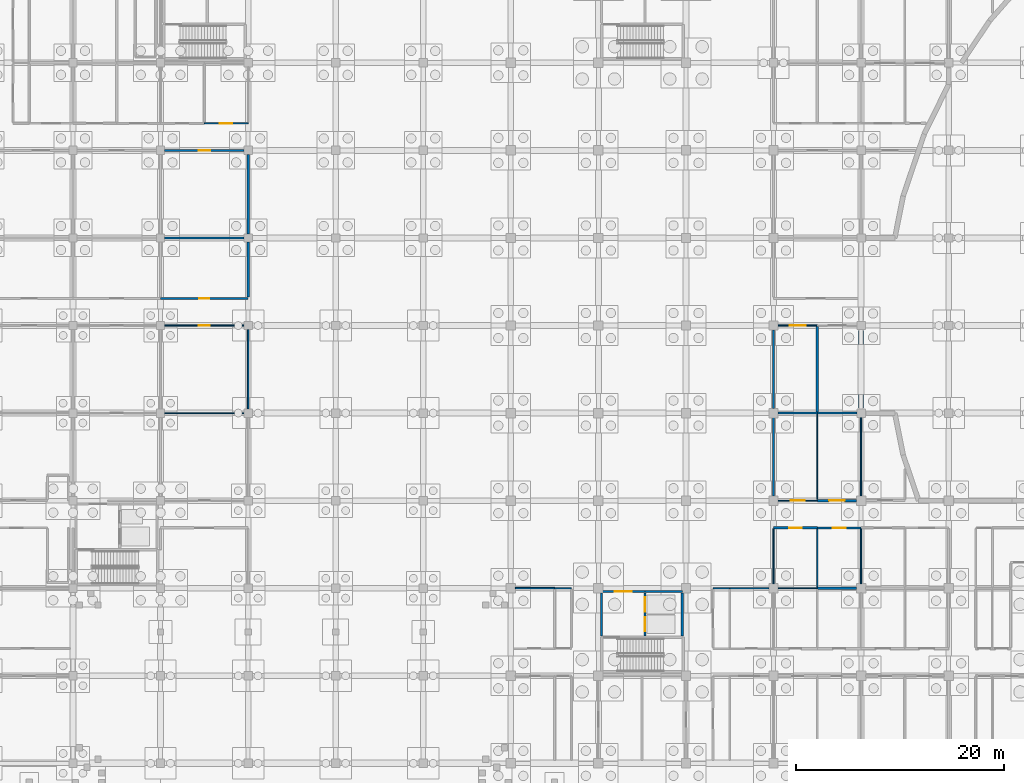
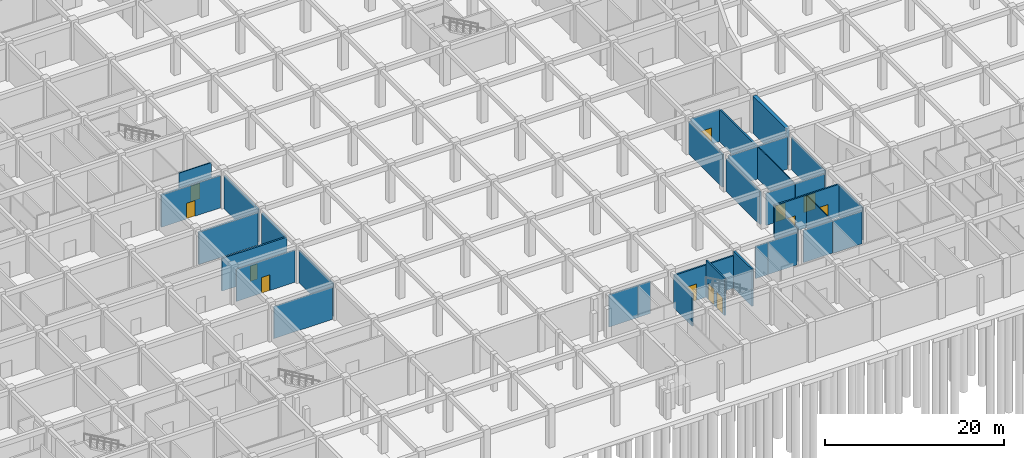
# One storey, part 34 of 65: 36 walls, 12 doors, 12 openings.
"""IFC4 building model written with IfcOpenShell, lengths in metres."""

from ifc_helpers import new_model, si_unit, direction, frame, frame_2d, origin, place, context, subcontext, project, spatial, rectangle, extrude, material, layer, layer_set, type_object, element, fill, save


model = new_model("IFC4")

# Units and contexts
model_context = context("Model", 3, precision=1e-05, world=origin(), true_north=direction((0.0, 1.0)))
body_context = subcontext(model_context, "Body", "Model", "MODEL_VIEW")
ifc_project = project(units=[si_unit("LENGTHUNIT", "METRE"), si_unit("AREAUNIT", "SQUARE_METRE"), si_unit("VOLUMEUNIT", "CUBIC_METRE"), si_unit("PLANEANGLEUNIT", "RADIAN"), si_unit("MASSUNIT", "GRAM", prefix="KILO")], contexts=[model_context])

# Site, building, storey
site_placement = place(None, origin())
site = spatial("IfcSite", under=ifc_project, at=site_placement, CompositionType="ELEMENT")
building_placement = place(site_placement, origin())
building = spatial("IfcBuilding", under=site, at=building_placement, Name="Bramfleet General Hospital", CompositionType="ELEMENT")
storey_placement = place(building_placement, frame((0.0, 0.0, -5.39990234375)))
storey = spatial("IfcBuildingStorey", under=building, at=storey_placement, Name="B1", CompositionType="ELEMENT", Elevation=-5.39990234375)

# Walls
ifc_material_1 = material(Name="Concrete C35/45", Category="concrete")
ifc_layer_1 = layer(ifc_material_1, 0.449951171875, Name="WT-EW-01")
ifc_layer_set_1 = layer_set([ifc_layer_1], Name="Concrete C35/45")
wall_type_1 = type_object("IfcWallType", Name="WT-EW-01", PredefinedType="SOLIDWALL", material=ifc_layer_set_1)
wall_1_placement = place(storey_placement, frame((126.0, 41.52490234375, 0.0), z_axis=(0.0, 0.0, 1.0), x_axis=(0.0, -1.0, 0.0)))
element("IfcWall", 1, at=wall_1_placement, inside=storey, type_object=wall_type_1, Name="B1 Waterproof Retaining Wall 50", PredefinedType="SOLIDWALL", context=body_context, shape_type="SweptSolid", body=[
    extrude(rectangle(XDim=7.449951171875, YDim=0.449951171875, at=frame_2d((3.72509765625, 0.0))), origin(), (0.0, 0.0, 1.0), 5.079833984375),
])
ifc_layer_2 = layer(ifc_material_1, 0.219970703125, Name="WT-IW-01")
ifc_layer_set_2 = layer_set([ifc_layer_2], Name="Concrete C35/45")
wall_type_2 = type_object("IfcWallType", Name="WT-IW-01", PredefinedType="PARTITIONING", material=ifc_layer_set_2)
wall_2_placement = place(storey_placement, frame((121.800048828125, 16.800048828125, 0.0), z_axis=(0.0, 0.0, 1.0), x_axis=(1.0, 0.0, 0.0)))
element("IfcWall", 2, at=wall_2_placement, inside=storey, type_object=wall_type_2, Name="B1 Interior Partition IW-B1-0061", PredefinedType="PARTITIONING", context=body_context, shape_type="SweptSolid", body=[
    extrude(rectangle(XDim=3.7548828125, YDim=0.219970703125, at=frame_2d((1.87744140625, 0.0))), origin(), (0.0, 0.0, 1.0), 4.419921875),
])

# Wall, opening, door
wall_3_placement = place(storey_placement, frame((121.800048828125, 25.199951171875, 0.0), z_axis=(0.0, 0.0, 1.0), x_axis=(1.0, 0.0, 0.0)))
wall_3 = element("IfcWall", 3, at=wall_3_placement, inside=storey, type_object=wall_type_2, Name="B1 Interior Partition IW-B1-0109", PredefinedType="PARTITIONING", context=body_context, shape_type="SweptSolid", body=[
    extrude(rectangle(XDim=3.7548828125, YDim=0.219970703125, at=frame_2d((1.87744140625, 0.0))), origin(), (0.0, 0.0, 1.0), 4.419921875),
])
opening_1_placement = place(wall_3_placement, frame((1.137451171875, 0.0, 0.0)))
opening_1 = element("IfcOpeningElement", 4, at=opening_1_placement, cuts=wall_3, Name="Opening D0336", PredefinedType="OPENING", context=body_context, shape_type="SweptSolid", body=[
    extrude(rectangle(XDim=1.47998046875, YDim=2.219970703125, at=frame_2d((0.739990234375, 1.10986328125))), frame((0.0, 0.119873046875, 0.0), z_axis=(0.0, -1.0, 0.0), x_axis=(1.0, 0.0, 0.0)), (0.0, 0.0, 1.0), 0.239990234375),
])
ifc_material_2 = material(Name="Stainless steel and acoustic timber leaf", Category="steel")
door_type_1 = type_object("IfcDoorType", Name="DR-D-16", OperationType="NOTDEFINED", PredefinedType="DOOR", material=ifc_material_2)
door_1_placement = place(opening_1_placement, origin())
door_1 = element("IfcDoor", 5, at=door_1_placement, inside=storey, type_object=door_type_1, Name="Clinical Engineering Workshop B1-1403 Door D0336", OperationType="SINGLE_SWING_LEFT", OverallHeight=2.219970703125, OverallWidth=1.47998046875, PredefinedType="DOOR", context=body_context, shape_type="SweptSolid", body=[
    extrude(rectangle(XDim=1.47998046875, YDim=2.219970703125, at=frame_2d((0.739990234375, 1.10986328125))), frame((0.0, 0.02490234375, 0.0), z_axis=(0.0, -1.0, 0.0), x_axis=(1.0, 0.0, 0.0)), (0.0, 0.0, 1.0), 0.050048828125),
])
fill(opening_1, door_1)

# Wall
wall_4_placement = place(storey_placement, frame((118.044921875, 33.60009765625, 0.0), z_axis=(0.0, 0.0, 1.0), x_axis=(1.0, 0.0, 0.0)))
element("IfcWall", 6, at=wall_4_placement, inside=storey, type_object=wall_type_2, Name="B1 Interior Partition IW-B1-0121", PredefinedType="PARTITIONING", context=body_context, shape_type="SweptSolid", body=[
    extrude(rectangle(XDim=3.755126953125, YDim=0.219970703125, at=frame_2d((1.87744140625, 0.0))), origin(), (0.0, 0.0, 1.0), 4.419921875),
])

# Wall, opening, door
wall_5_placement = place(storey_placement, frame((58.800048828125, 44.60009765625, 0.0), z_axis=(0.0, 0.0, 1.0), x_axis=(1.0, 0.0, 0.0)))
wall_5 = element("IfcWall", 7, at=wall_5_placement, inside=storey, type_object=wall_type_2, Name="B1 Interior Partition IW-B1-0140", PredefinedType="PARTITIONING", context=body_context, shape_type="SweptSolid", body=[
    extrude(rectangle(XDim=8.39990234375, YDim=0.219970703125, at=frame_2d((4.199951171875, 0.0))), origin(), (0.0, 0.0, 1.0), 4.469970703125),
])
opening_2_placement = place(wall_5_placement, frame((3.72509765625, 0.0, 0.0)))
opening_2 = element("IfcOpeningElement", 8, at=opening_2_placement, cuts=wall_5, Name="Opening D0298", PredefinedType="OPENING", context=body_context, shape_type="SweptSolid", body=[
    extrude(rectangle(XDim=0.949951171875, YDim=2.10009765625, at=frame_2d((0.47509765625, 1.050048828125))), frame((0.0, 0.119873046875, 0.0), z_axis=(0.0, -1.0, 0.0), x_axis=(1.0, 0.0, 0.0)), (0.0, 0.0, 1.0), 0.239990234375),
])
door_type_2 = type_object("IfcDoorType", Name="DR-D-10", OperationType="NOTDEFINED", PredefinedType="DOOR", material=ifc_material_2)
door_2_placement = place(opening_2_placement, origin())
door_2 = element("IfcDoor", 9, at=door_2_placement, inside=storey, type_object=door_type_2, Name="Central Sterile Supply Room B1-0705 Door D0298", OperationType="SINGLE_SWING_LEFT", OverallHeight=2.10009765625, OverallWidth=0.949951171875, PredefinedType="DOOR", context=body_context, shape_type="SweptSolid", body=[
    extrude(rectangle(XDim=0.949951171875, YDim=2.10009765625, at=frame_2d((0.47509765625, 1.050048828125))), frame((0.0, 0.02490234375, 0.0), z_axis=(0.0, -1.0, 0.0), x_axis=(1.0, 0.0, 0.0)), (0.0, 0.0, 1.0), 0.050048828125),
])
fill(opening_2, door_2)

# Wall
wall_6_placement = place(storey_placement, frame((59.195068359375, 50.39990234375, 0.0), z_axis=(0.0, 0.0, 1.0), x_axis=(1.0, 0.0, 0.0)))
element("IfcWall", 10, at=wall_6_placement, inside=storey, type_object=wall_type_2, Name="B1 Interior Partition IW-B1-0149", PredefinedType="PARTITIONING", context=body_context, shape_type="SweptSolid", body=[
    extrude(rectangle(XDim=7.60986328125, YDim=0.219970703125, at=frame_2d((3.804931640625, 0.0))), origin(), (0.0, 0.0, 1.0), 4.419921875),
])

# Wall, opening, door
wall_7_placement = place(storey_placement, frame((59.195068359375, 58.800048828125, 0.0), z_axis=(0.0, 0.0, 1.0), x_axis=(1.0, 0.0, 0.0)))
wall_7 = element("IfcWall", 11, at=wall_7_placement, inside=storey, type_object=wall_type_2, Name="B1 Interior Partition IW-B1-0159", PredefinedType="PARTITIONING", context=body_context, shape_type="SweptSolid", body=[
    extrude(rectangle(XDim=7.60986328125, YDim=0.219970703125, at=frame_2d((3.804931640625, 0.0))), origin(), (0.0, 0.0, 1.0), 4.419921875),
])
opening_3_placement = place(wall_7_placement, frame((3.2548828125, 0.0, 0.0)))
opening_3 = element("IfcOpeningElement", 12, at=opening_3_placement, cuts=wall_7, Name="Opening D0299", PredefinedType="OPENING", context=body_context, shape_type="SweptSolid", body=[
    extrude(rectangle(XDim=1.10009765625, YDim=2.14990234375, at=frame_2d((0.550048828125, 1.074951171875))), frame((0.0, 0.119873046875, 0.0), z_axis=(0.0, -1.0, 0.0), x_axis=(1.0, 0.0, 0.0)), (0.0, 0.0, 1.0), 0.239990234375),
])
door_type_3 = type_object("IfcDoorType", Name="DR-D-11", OperationType="NOTDEFINED", PredefinedType="DOOR", material=ifc_material_2)
door_3_placement = place(opening_3_placement, origin())
door_3 = element("IfcDoor", 13, at=door_3_placement, inside=storey, type_object=door_type_3, Name="Central Sterile Supply Room B1-0706 Door D0299", OperationType="SINGLE_SWING_RIGHT", OverallHeight=2.14990234375, OverallWidth=1.10009765625, PredefinedType="DOOR", context=body_context, shape_type="SweptSolid", body=[
    extrude(rectangle(XDim=1.10009765625, YDim=2.14990234375, at=frame_2d((0.550048828125, 1.074951171875))), frame((0.0, 0.02490234375, 0.0), z_axis=(0.0, -1.0, 0.0), x_axis=(1.0, 0.0, 0.0)), (0.0, 0.0, 1.0), 0.050048828125),
])
fill(opening_3, door_3)

# Walls
wall_8_placement = place(storey_placement, frame((67.199951171875, 44.715087890625, 0.0), z_axis=(0.0, 0.0, 1.0), x_axis=(0.0, 1.0, 0.0)))
element("IfcWall", 14, at=wall_8_placement, inside=storey, type_object=wall_type_2, Name="B1 Interior Partition IW-B1-0477", PredefinedType="PARTITIONING", context=body_context, shape_type="SweptSolid", body=[
    extrude(rectangle(XDim=5.289794921875, YDim=0.219970703125, at=frame_2d((2.64501953125, 0.0))), origin(), (0.0, 0.0, 1.0), 4.469970703125),
])
wall_9_placement = place(storey_placement, frame((67.199951171875, 50.794921875, 0.0), z_axis=(0.0, 0.0, 1.0), x_axis=(0.0, 1.0, 0.0)))
element("IfcWall", 15, at=wall_9_placement, inside=storey, type_object=wall_type_2, Name="B1 Interior Partition IW-B1-0478", PredefinedType="PARTITIONING", context=body_context, shape_type="SweptSolid", body=[
    extrude(rectangle(XDim=7.610107421875, YDim=0.219970703125, at=frame_2d((3.80517578125, 0.0))), origin(), (0.0, 0.0, 1.0), 4.469970703125),
])
wall_10_placement = place(storey_placement, frame((117.60009765625, 25.64501953125, 0.0), z_axis=(0.0, 0.0, 1.0), x_axis=(0.0, 1.0, 0.0)))
element("IfcWall", 16, at=wall_10_placement, inside=storey, type_object=wall_type_2, Name="B1 Interior Partition IW-B1-0517", PredefinedType="PARTITIONING", context=body_context, shape_type="SweptSolid", body=[
    extrude(rectangle(XDim=7.510009765625, YDim=0.219970703125, at=frame_2d((3.7548828125, 0.0))), origin(), (0.0, 0.0, 1.0), 4.469970703125),
])
wall_11_placement = place(storey_placement, frame((121.800048828125, 33.715087890625, 0.0), z_axis=(0.0, 0.0, 1.0), x_axis=(0.0, 1.0, 0.0)))
element("IfcWall", 17, at=wall_11_placement, inside=storey, type_object=wall_type_2, Name="B1 Interior Partition IW-B1-0529", PredefinedType="PARTITIONING", context=body_context, shape_type="SweptSolid", body=[
    extrude(rectangle(XDim=8.169921875, YDim=0.219970703125, at=frame_2d((4.0849609375, 0.0))), origin(), (0.0, 0.0, 1.0), 4.419921875),
])

# Wall, openings, doors
ifc_layer_3 = layer(ifc_material_1, 0.205078125, Name="WT-IW-02")
ifc_layer_set_3 = layer_set([ifc_layer_3], Name="Concrete C35/45")
wall_type_3 = type_object("IfcWallType", Name="WT-IW-02", PredefinedType="PARTITIONING", material=ifc_layer_set_3)
wall_12_placement = place(storey_placement, frame((105.280029296875, 12.239990234375, 0.0), z_axis=(0.0, 0.0, 1.0), x_axis=(0.0, 1.0, 0.0)))
wall_12 = element("IfcWall", 18, at=wall_12_placement, inside=storey, type_object=wall_type_3, Name="B1 C3 Lobby East Shaft Wall", PredefinedType="PARTITIONING", context=body_context, shape_type="SweptSolid", body=[
    extrude(rectangle(XDim=4.1201171875, YDim=0.205078125, at=frame_2d((2.06005859375, 0.0))), origin(), (0.0, 0.0, 1.0), 5.06982421875),
])
opening_4_placement = place(wall_12_placement, frame((0.445068359375, 0.0, 0.0)))
opening_4 = element("IfcOpeningElement", 19, at=opening_4_placement, cuts=wall_12, Name="Opening LD-FL-01-B1", PredefinedType="OPENING", context=body_context, shape_type="SweptSolid", body=[
    extrude(rectangle(XDim=1.35009765625, YDim=2.199951171875, at=frame_2d((0.675048828125, 1.10009765625))), frame((0.0, 0.112548828125, 0.0), z_axis=(0.0, -1.0, 0.0), x_axis=(1.0, 0.0, 0.0)), (0.0, 0.0, 1.0), 0.22509765625),
])
opening_5_placement = place(wall_12_placement, frame((2.324951171875, 0.0, 0.0)))
opening_5 = element("IfcOpeningElement", 20, at=opening_5_placement, cuts=wall_12, Name="Opening LD-BL-03-B1", PredefinedType="OPENING", context=body_context, shape_type="SweptSolid", body=[
    extrude(rectangle(XDim=1.35009765625, YDim=2.199951171875, at=frame_2d((0.675048828125, 1.10009765625))), frame((0.0, 0.112548828125, 0.0), z_axis=(0.0, -1.0, 0.0), x_axis=(1.0, 0.0, 0.0)), (0.0, 0.0, 1.0), 0.22509765625),
])
ifc_material_3 = material(Name="Brushed stainless steel 1.4301", Category="steel")
door_type_4 = type_object("IfcDoorType", Name="DR-LD-01", OperationType="NOTDEFINED", PredefinedType="DOOR", material=ifc_material_3)
door_4_placement = place(opening_4_placement, origin())
door_4 = element("IfcDoor", 21, at=door_4_placement, inside=storey, type_object=door_type_4, Name="B1 Lift FL-01 Sliding Landing Door", OperationType="SLIDING_TO_LEFT", OverallHeight=2.199951171875, OverallWidth=1.35009765625, PredefinedType="DOOR", context=body_context, shape_type="SweptSolid", body=[
    extrude(rectangle(XDim=1.35009765625, YDim=2.199951171875, at=frame_2d((0.675048828125, 1.10009765625))), frame((0.0, 0.02490234375, 0.0), z_axis=(0.0, -1.0, 0.0), x_axis=(1.0, 0.0, 0.0)), (0.0, 0.0, 1.0), 0.050048828125),
])
fill(opening_4, door_4)
door_5_placement = place(opening_5_placement, origin())
door_5 = element("IfcDoor", 22, at=door_5_placement, inside=storey, type_object=door_type_4, Name="B1 Lift BL-03 Sliding Landing Door", OperationType="SLIDING_TO_LEFT", OverallHeight=2.199951171875, OverallWidth=1.35009765625, PredefinedType="DOOR", context=body_context, shape_type="SweptSolid", body=[
    extrude(rectangle(XDim=1.35009765625, YDim=2.199951171875, at=frame_2d((0.675048828125, 1.10009765625))), frame((0.0, 0.02490234375, 0.0), z_axis=(0.0, -1.0, 0.0), x_axis=(1.0, 0.0, 0.0)), (0.0, 0.0, 1.0), 0.050048828125),
])
fill(opening_5, door_5)

# Walls
wall_13_placement = place(storey_placement, frame((108.85009765625, 12.239990234375, 0.0), z_axis=(0.0, 0.0, 1.0), x_axis=(0.0, 1.0, 0.0)))
element("IfcWall", 23, at=wall_13_placement, inside=storey, type_object=wall_type_3, Name="B1 C3 Lift Shaft East Wall", PredefinedType="PARTITIONING", context=body_context, shape_type="SweptSolid", body=[
    extrude(rectangle(XDim=4.1201171875, YDim=0.205078125, at=frame_2d((2.06005859375, 0.0))), origin(), (0.0, 0.0, 1.0), 5.06982421875),
])
wall_14_placement = place(storey_placement, frame((105.280029296875, 16.47998046875, 0.0), z_axis=(0.0, 0.0, 1.0), x_axis=(1.0, 0.0, 0.0)))
element("IfcWall", 24, at=wall_14_placement, inside=storey, type_object=wall_type_3, Name="B1 C3 Lift Shaft North Wall", PredefinedType="PARTITIONING", context=body_context, shape_type="SweptSolid", body=[
    extrude(rectangle(XDim=3.570068359375, YDim=0.205078125, at=frame_2d((1.78515625, 0.0))), origin(), (0.0, 0.0, 1.0), 4.419921875),
])
wall_15_placement = place(storey_placement, frame((101.10009765625, 12.239990234375, 0.0), z_axis=(0.0, 0.0, 1.0), x_axis=(0.0, 1.0, 0.0)))
element("IfcWall", 25, at=wall_15_placement, inside=storey, type_object=wall_type_3, Name="B1 C3 Lobby West Compartment Wall", PredefinedType="PARTITIONING", context=body_context, shape_type="SweptSolid", body=[
    extrude(rectangle(XDim=4.1201171875, YDim=0.205078125, at=frame_2d((2.06005859375, 0.0))), origin(), (0.0, 0.0, 1.0), 4.469970703125),
])

# Wall, opening, door
wall_16_placement = place(storey_placement, frame((101.10009765625, 16.47998046875, 0.0), z_axis=(0.0, 0.0, 1.0), x_axis=(1.0, 0.0, 0.0)))
wall_16 = element("IfcWall", 26, at=wall_16_placement, inside=storey, type_object=wall_type_3, Name="B1 C3 Lobby North Compartment Wall", PredefinedType="PARTITIONING", context=body_context, shape_type="SweptSolid", body=[
    extrude(rectangle(XDim=4.179931640625, YDim=0.205078125, at=frame_2d((2.08984375, 0.0))), origin(), (0.0, 0.0, 1.0), 4.419921875),
])
opening_6_placement = place(wall_16_placement, frame((1.2900390625, 0.0, 0.0)))
opening_6 = element("IfcOpeningElement", 27, at=opening_6_placement, cuts=wall_16, Name="Opening D0020", PredefinedType="OPENING", context=body_context, shape_type="SweptSolid", body=[
    extrude(rectangle(XDim=1.60009765625, YDim=2.25, at=frame_2d((0.800048828125, 1.125))), frame((0.0, 0.112548828125, 0.0), z_axis=(0.0, -1.0, 0.0), x_axis=(1.0, 0.0, 0.0)), (0.0, 0.0, 1.0), 0.22509765625),
])
door_type_5 = type_object("IfcDoorType", Name="DR-D-04", OperationType="NOTDEFINED", PredefinedType="DOOR", material=ifc_material_2)
door_6_placement = place(opening_6_placement, origin())
door_6 = element("IfcDoor", 28, at=door_6_placement, inside=storey, type_object=door_type_5, Name="B1 C3 Lobby Fire Door D0020", OperationType="DOUBLE_SWING_LEFT", OverallHeight=2.25, OverallWidth=1.60009765625, PredefinedType="DOOR", context=body_context, shape_type="SweptSolid", body=[
    extrude(rectangle(XDim=1.60009765625, YDim=2.25, at=frame_2d((0.800048828125, 1.125))), frame((0.0, 0.02490234375, 0.0), z_axis=(0.0, -1.0, 0.0), x_axis=(1.0, 0.0, 0.0)), (0.0, 0.0, 1.0), 0.050048828125),
])
fill(opening_6, door_6)

wall_17_placement = place(storey_placement, frame((117.60009765625, 22.60009765625, 0.0), z_axis=(0.0, 0.0, 1.0), x_axis=(1.0, 0.0, 0.0)))
wall_17 = element("IfcWall", 29, at=wall_17_placement, inside=storey, type_object=wall_type_3, Name="B1 Interior Partition IW-B1-0086", PredefinedType="PARTITIONING", context=body_context, shape_type="SweptSolid", body=[
    extrude(rectangle(XDim=4.199951171875, YDim=0.205078125, at=frame_2d((2.10009765625, 0.0))), origin(), (0.0, 0.0, 1.0), 4.469970703125),
])
opening_7_placement = place(wall_17_placement, frame((1.5, 0.0, 0.0)))
opening_7 = element("IfcOpeningElement", 30, at=opening_7_placement, cuts=wall_17, Name="Opening D0333", PredefinedType="OPENING", context=body_context, shape_type="SweptSolid", body=[
    extrude(rectangle(XDim=1.199951171875, YDim=2.14990234375, at=frame_2d((0.60009765625, 1.074951171875))), frame((0.0, 0.112548828125, 0.0), z_axis=(0.0, -1.0, 0.0), x_axis=(1.0, 0.0, 0.0)), (0.0, 0.0, 1.0), 0.22509765625),
])
door_type_6 = type_object("IfcDoorType", Name="DR-D-13", OperationType="NOTDEFINED", PredefinedType="DOOR", material=ifc_material_2)
door_7_placement = place(opening_7_placement, origin())
door_7 = element("IfcDoor", 31, at=door_7_placement, inside=storey, type_object=door_type_6, Name="Clean Medical Supply Store B1-1402 Door D0333", OperationType="SINGLE_SWING_RIGHT", OverallHeight=2.14990234375, OverallWidth=1.199951171875, PredefinedType="DOOR", context=body_context, shape_type="SweptSolid", body=[
    extrude(rectangle(XDim=1.199951171875, YDim=2.14990234375, at=frame_2d((0.60009765625, 1.074951171875))), frame((0.0, 0.02490234375, 0.0), z_axis=(0.0, -1.0, 0.0), x_axis=(1.0, 0.0, 0.0)), (0.0, 0.0, 1.0), 0.050048828125),
])
fill(opening_7, door_7)

# Walls
wall_18_placement = place(storey_placement, frame((121.800048828125, 33.60009765625, 0.0), z_axis=(0.0, 0.0, 1.0), x_axis=(1.0, 0.0, 0.0)))
element("IfcWall", 32, at=wall_18_placement, inside=storey, type_object=wall_type_3, Name="B1 Interior Partition IW-B1-0122", PredefinedType="PARTITIONING", context=body_context, shape_type="SweptSolid", body=[
    extrude(rectangle(XDim=3.804931640625, YDim=0.205078125, at=frame_2d((1.90234375, 0.0))), origin(), (0.0, 0.0, 1.0), 4.419921875),
])
wall_19_placement = place(storey_placement, frame((117.60009765625, 34.044921875, 0.0), z_axis=(0.0, 0.0, 1.0), x_axis=(0.0, 1.0, 0.0)))
element("IfcWall", 33, at=wall_19_placement, inside=storey, type_object=wall_type_3, Name="B1 Interior Partition IW-B1-0518", PredefinedType="PARTITIONING", context=body_context, shape_type="SweptSolid", body=[
    extrude(rectangle(XDim=7.510009765625, YDim=0.205078125, at=frame_2d((3.7548828125, 0.0))), origin(), (0.0, 0.0, 1.0), 4.469970703125),
])

# Wall, opening, door
ifc_layer_4 = layer(ifc_material_1, 0.18994140625, Name="WT-IW-03")
ifc_layer_set_4 = layer_set([ifc_layer_4], Name="Concrete C35/45")
wall_type_4 = type_object("IfcWallType", Name="WT-IW-03", PredefinedType="PARTITIONING", material=ifc_layer_set_4)
wall_20_placement = place(storey_placement, frame((121.800048828125, 22.60009765625, 0.0), z_axis=(0.0, 0.0, 1.0), x_axis=(1.0, 0.0, 0.0)))
wall_20 = element("IfcWall", 34, at=wall_20_placement, inside=storey, type_object=wall_type_4, Name="B1 Interior Partition IW-B1-0087", PredefinedType="PARTITIONING", context=body_context, shape_type="SweptSolid", body=[
    extrude(rectangle(XDim=4.199951171875, YDim=0.18994140625, at=frame_2d((2.10009765625, 0.0))), origin(), (0.0, 0.0, 1.0), 4.469970703125),
])
opening_8_placement = place(wall_20_placement, frame((1.47509765625, 0.0, 0.0)))
opening_8 = element("IfcOpeningElement", 35, at=opening_8_placement, cuts=wall_20, Name="Opening D0334", PredefinedType="OPENING", context=body_context, shape_type="SweptSolid", body=[
    extrude(rectangle(XDim=1.25, YDim=2.199951171875, at=frame_2d((0.625, 1.10009765625))), frame((0.0, 0.10498046875, 0.0), z_axis=(0.0, -1.0, 0.0), x_axis=(1.0, 0.0, 0.0)), (0.0, 0.0, 1.0), 0.2099609375),
])
door_type_7 = type_object("IfcDoorType", Name="DR-D-14", OperationType="NOTDEFINED", PredefinedType="DOOR", material=ifc_material_2)
door_8_placement = place(opening_8_placement, origin())
door_8 = element("IfcDoor", 36, at=door_8_placement, inside=storey, type_object=door_type_7, Name="Clinical Engineering Workshop B1-1402 Door D0334", OperationType="SINGLE_SWING_LEFT", OverallHeight=2.199951171875, OverallWidth=1.25, PredefinedType="DOOR", context=body_context, shape_type="SweptSolid", body=[
    extrude(rectangle(XDim=1.25, YDim=2.199951171875, at=frame_2d((0.625, 1.10009765625))), frame((0.0, 0.02490234375, 0.0), z_axis=(0.0, -1.0, 0.0), x_axis=(1.0, 0.0, 0.0)), (0.0, 0.0, 1.0), 0.050048828125),
])
fill(opening_8, door_8)

# Walls
ifc_material_4 = material(Name="Gypsum plasterboard on acoustic steel studs", Category="steel")
ifc_layer_5 = layer(ifc_material_4, 0.139892578125, Name="WT-IW-08")
ifc_layer_set_5 = layer_set([ifc_layer_5], Name="Gypsum plasterboard on acoustic steel studs")
wall_type_5 = type_object("IfcWallType", Name="WT-IW-08", PredefinedType="PARTITIONING", material=ifc_layer_set_5)
wall_21_placement = place(storey_placement, frame((92.844970703125, 16.800048828125, 0.0), z_axis=(0.0, 0.0, 1.0), x_axis=(1.0, 0.0, 0.0)))
element("IfcWall", 37, at=wall_21_placement, inside=storey, type_object=wall_type_5, Name="B1 Interior Partition IW-B1-0056", PredefinedType="PARTITIONING", context=body_context, shape_type="SweptSolid", body=[
    extrude(rectangle(XDim=3.755126953125, YDim=0.139892578125, at=frame_2d((1.87744140625, 0.0))), origin(), (0.0, 0.0, 1.0), 4.419921875),
])
wall_22_placement = place(storey_placement, frame((67.199951171875, 33.9951171875, 0.0), z_axis=(0.0, 0.0, 1.0), x_axis=(0.0, 1.0, 0.0)))
element("IfcWall", 38, at=wall_22_placement, inside=storey, type_object=wall_type_5, Name="B1 Interior Partition IW-B1-0476", PredefinedType="PARTITIONING", context=body_context, shape_type="SweptSolid", body=[
    extrude(rectangle(XDim=7.60986328125, YDim=0.139892578125, at=frame_2d((3.804931640625, 0.0))), origin(), (0.0, 0.0, 1.0), 4.469970703125),
])
ifc_layer_6 = layer(ifc_material_4, 0.1298828125, Name="WT-IW-09")
ifc_layer_set_6 = layer_set([ifc_layer_6], Name="Gypsum plasterboard on acoustic steel studs")
wall_type_6 = type_object("IfcWallType", Name="WT-IW-09", PredefinedType="PARTITIONING", material=ifc_layer_set_6)
wall_23_placement = place(storey_placement, frame((96.60009765625, 16.800048828125, 0.0), z_axis=(0.0, 0.0, 1.0), x_axis=(1.0, 0.0, 0.0)))
element("IfcWall", 39, at=wall_23_placement, inside=storey, type_object=wall_type_6, Name="B1 Interior Partition IW-B1-0057", PredefinedType="PARTITIONING", context=body_context, shape_type="SweptSolid", body=[
    extrude(rectangle(XDim=1.599853515625, YDim=0.1298828125, at=frame_2d((0.7998046875, 0.0))), origin(), (0.0, 0.0, 1.0), 4.419921875),
])

# Wall, opening, door
wall_24_placement = place(storey_placement, frame((63.0, 61.39990234375, 0.0), z_axis=(0.0, 0.0, 1.0), x_axis=(1.0, 0.0, 0.0)))
wall_24 = element("IfcWall", 40, at=wall_24_placement, inside=storey, type_object=wall_type_6, Name="B1 Interior Partition IW-B1-0177", PredefinedType="PARTITIONING", context=body_context, shape_type="SweptSolid", body=[
    extrude(rectangle(XDim=4.199951171875, YDim=0.1298828125, at=frame_2d((2.10009765625, 0.0))), origin(), (0.0, 0.0, 1.0), 4.469970703125),
])
opening_9_placement = place(wall_24_placement, frame((1.5, 0.0, 0.0)))
opening_9 = element("IfcOpeningElement", 41, at=opening_9_placement, cuts=wall_24, Name="Opening D0301", PredefinedType="OPENING", context=body_context, shape_type="SweptSolid", body=[
    extrude(rectangle(XDim=1.199951171875, YDim=2.14990234375, at=frame_2d((0.60009765625, 1.074951171875))), frame((0.0, 0.074951171875, 0.0), z_axis=(0.0, -1.0, 0.0), x_axis=(1.0, 0.0, 0.0)), (0.0, 0.0, 1.0), 0.14990234375),
])
door_9_placement = place(opening_9_placement, origin())
door_9 = element("IfcDoor", 42, at=door_9_placement, inside=storey, type_object=door_type_6, Name="Clinical Engineering Workshop B1-0707 Door D0301", OperationType="SINGLE_SWING_RIGHT", OverallHeight=2.14990234375, OverallWidth=1.199951171875, PredefinedType="DOOR", context=body_context, shape_type="SweptSolid", body=[
    extrude(rectangle(XDim=1.199951171875, YDim=2.14990234375, at=frame_2d((0.60009765625, 1.074951171875))), frame((0.0, 0.02490234375, 0.0), z_axis=(0.0, -1.0, 0.0), x_axis=(1.0, 0.0, 0.0)), (0.0, 0.0, 1.0), 0.050048828125),
])
fill(opening_9, door_9)

# Wall
ifc_layer_7 = layer(ifc_material_4, 0.1201171875, Name="WT-IW-10")
ifc_layer_set_7 = layer_set([ifc_layer_7], Name="Gypsum plasterboard on acoustic steel studs")
wall_type_7 = type_object("IfcWallType", Name="WT-IW-10", PredefinedType="PARTITIONING", material=ifc_layer_set_7)
wall_25_placement = place(storey_placement, frame((111.800048828125, 16.800048828125, 0.0), z_axis=(0.0, 0.0, 1.0), x_axis=(1.0, 0.0, 0.0)))
element("IfcWall", 43, at=wall_25_placement, inside=storey, type_object=wall_type_7, Name="B1 Interior Partition IW-B1-0058", PredefinedType="PARTITIONING", context=body_context, shape_type="SweptSolid", body=[
    extrude(rectangle(XDim=1.599853515625, YDim=0.1201171875, at=frame_2d((0.7998046875, 0.0))), origin(), (0.0, 0.0, 1.0), 4.419921875),
])

# Wall, opening, door
wall_26_placement = place(storey_placement, frame((59.195068359375, 42.0, 0.0), z_axis=(0.0, 0.0, 1.0), x_axis=(1.0, 0.0, 0.0)))
wall_26 = element("IfcWall", 44, at=wall_26_placement, inside=storey, type_object=wall_type_7, Name="B1 Interior Partition IW-B1-0130", PredefinedType="PARTITIONING", context=body_context, shape_type="SweptSolid", body=[
    extrude(rectangle(XDim=7.60986328125, YDim=0.1201171875, at=frame_2d((3.804931640625, 0.0))), origin(), (0.0, 0.0, 1.0), 4.419921875),
])
opening_10_placement = place(wall_26_placement, frame((3.280029296875, 0.0, 0.0)))
opening_10 = element("IfcOpeningElement", 45, at=opening_10_placement, cuts=wall_26, Name="Opening D0297", PredefinedType="OPENING", context=body_context, shape_type="SweptSolid", body=[
    extrude(rectangle(XDim=1.050048828125, YDim=2.14990234375, at=frame_2d((0.52490234375, 1.074951171875))), frame((0.0, 0.070068359375, 0.0), z_axis=(0.0, -1.0, 0.0), x_axis=(1.0, 0.0, 0.0)), (0.0, 0.0, 1.0), 0.14013671875),
])
door_type_8 = type_object("IfcDoorType", Name="DR-D-09", OperationType="NOTDEFINED", PredefinedType="DOOR", material=ifc_material_2)
door_10_placement = place(opening_10_placement, origin())
door_10 = element("IfcDoor", 46, at=door_10_placement, inside=storey, type_object=door_type_8, Name="Hospital Pharmacy Clean Preparation B1-0704 Door D0297", OperationType="SINGLE_SWING_RIGHT", OverallHeight=2.14990234375, OverallWidth=1.050048828125, PredefinedType="DOOR", context=body_context, shape_type="SweptSolid", body=[
    extrude(rectangle(XDim=1.050048828125, YDim=2.14990234375, at=frame_2d((0.52490234375, 1.074951171875))), frame((0.0, 0.02490234375, 0.0), z_axis=(0.0, -1.0, 0.0), x_axis=(1.0, 0.0, 0.0)), (0.0, 0.0, 1.0), 0.050048828125),
])
fill(opening_10, door_10)

# Walls
wall_27_placement = place(storey_placement, frame((126.0, 17.2451171875, 0.0), z_axis=(0.0, 0.0, 1.0), x_axis=(0.0, 1.0, 0.0)))
element("IfcWall", 47, at=wall_27_placement, inside=storey, type_object=wall_type_7, Name="B1 Interior Partition IW-B1-0538", PredefinedType="PARTITIONING", context=body_context, shape_type="SweptSolid", body=[
    extrude(rectangle(XDim=5.239990234375, YDim=0.1201171875, at=frame_2d((2.6201171875, 0.0))), origin(), (0.0, 0.0, 1.0), 4.469970703125),
])
ifc_layer_8 = layer(ifc_material_4, 0.112060546875, Name="WT-IW-11")
ifc_layer_set_8 = layer_set([ifc_layer_8], Name="Gypsum plasterboard on acoustic steel studs")
wall_type_8 = type_object("IfcWallType", Name="WT-IW-11", PredefinedType="PARTITIONING", material=ifc_layer_set_8)
wall_28_placement = place(storey_placement, frame((113.39990234375, 16.800048828125, 0.0), z_axis=(0.0, 0.0, 1.0), x_axis=(1.0, 0.0, 0.0)))
element("IfcWall", 48, at=wall_28_placement, inside=storey, type_object=wall_type_8, Name="B1 Interior Partition IW-B1-0059", PredefinedType="PARTITIONING", context=body_context, shape_type="SweptSolid", body=[
    extrude(rectangle(XDim=3.755126953125, YDim=0.112060546875, at=frame_2d((1.87744140625, 0.0))), origin(), (0.0, 0.0, 1.0), 4.419921875),
])

# Wall, opening, door
wall_29_placement = place(storey_placement, frame((118.044921875, 42.0, 0.0), z_axis=(0.0, 0.0, 1.0), x_axis=(1.0, 0.0, 0.0)))
wall_29 = element("IfcWall", 49, at=wall_29_placement, inside=storey, type_object=wall_type_8, Name="B1 Interior Partition IW-B1-0131", PredefinedType="PARTITIONING", context=body_context, shape_type="SweptSolid", body=[
    extrude(rectangle(XDim=3.755126953125, YDim=0.112060546875, at=frame_2d((1.87744140625, 0.0))), origin(), (0.0, 0.0, 1.0), 4.419921875),
])
opening_11_placement = place(wall_29_placement, frame((1.107421875, 0.0, 0.0)))
opening_11 = element("IfcOpeningElement", 50, at=opening_11_placement, cuts=wall_29, Name="Opening D0337", PredefinedType="OPENING", context=body_context, shape_type="SweptSolid", body=[
    extrude(rectangle(XDim=1.5400390625, YDim=2.239990234375, at=frame_2d((0.77001953125, 1.1201171875))), frame((0.0, 0.06591796875, 0.0), z_axis=(0.0, -1.0, 0.0), x_axis=(1.0, 0.0, 0.0)), (0.0, 0.0, 1.0), 0.132080078125),
])
door_type_9 = type_object("IfcDoorType", Name="DR-D-17", OperationType="NOTDEFINED", PredefinedType="DOOR", material=ifc_material_2)
door_11_placement = place(opening_11_placement, origin())
door_11 = element("IfcDoor", 51, at=door_11_placement, inside=storey, type_object=door_type_9, Name="Clean Medical Supply Store B1-1404 Door D0337", OperationType="SINGLE_SWING_RIGHT", OverallHeight=2.239990234375, OverallWidth=1.5400390625, PredefinedType="DOOR", context=body_context, shape_type="SweptSolid", body=[
    extrude(rectangle(XDim=1.5400390625, YDim=2.239990234375, at=frame_2d((0.77001953125, 1.1201171875))), frame((0.0, 0.02490234375, 0.0), z_axis=(0.0, -1.0, 0.0), x_axis=(1.0, 0.0, 0.0)), (0.0, 0.0, 1.0), 0.050048828125),
])
fill(opening_11, door_11)

# Walls
wall_30_placement = place(storey_placement, frame((121.800048828125, 16.9150390625, 0.0), z_axis=(0.0, 0.0, 1.0), x_axis=(0.0, 1.0, 0.0)))
element("IfcWall", 52, at=wall_30_placement, inside=storey, type_object=wall_type_8, Name="B1 Interior Partition IW-B1-0527", PredefinedType="PARTITIONING", context=body_context, shape_type="SweptSolid", body=[
    extrude(rectangle(XDim=5.570068359375, YDim=0.112060546875, at=frame_2d((2.78515625, 0.0))), origin(), (0.0, 0.0, 1.0), 4.419921875),
])
wall_31_placement = place(storey_placement, frame((126.0, 25.64501953125, 0.0), z_axis=(0.0, 0.0, 1.0), x_axis=(0.0, 1.0, 0.0)))
element("IfcWall", 53, at=wall_31_placement, inside=storey, type_object=wall_type_8, Name="B1 Interior Partition IW-B1-0539", PredefinedType="PARTITIONING", context=body_context, shape_type="SweptSolid", body=[
    extrude(rectangle(XDim=7.56005859375, YDim=0.112060546875, at=frame_2d((3.780029296875, 0.0))), origin(), (0.0, 0.0, 1.0), 4.469970703125),
])
ifc_layer_9 = layer(ifc_material_4, 0.10009765625, Name="WT-IW-12")
ifc_layer_set_9 = layer_set([ifc_layer_9], Name="Gypsum plasterboard on acoustic steel studs")
wall_type_9 = type_object("IfcWallType", Name="WT-IW-12", PredefinedType="PARTITIONING", material=ifc_layer_set_9)
wall_32_placement = place(storey_placement, frame((118.044921875, 16.800048828125, 0.0), z_axis=(0.0, 0.0, 1.0), x_axis=(1.0, 0.0, 0.0)))
element("IfcWall", 54, at=wall_32_placement, inside=storey, type_object=wall_type_9, Name="B1 Interior Partition IW-B1-0060", PredefinedType="PARTITIONING", context=body_context, shape_type="SweptSolid", body=[
    extrude(rectangle(XDim=3.755126953125, YDim=0.10009765625, at=frame_2d((1.87744140625, 0.0))), origin(), (0.0, 0.0, 1.0), 4.419921875),
])

# Wall, opening, door
wall_33_placement = place(storey_placement, frame((118.044921875, 25.199951171875, 0.0), z_axis=(0.0, 0.0, 1.0), x_axis=(1.0, 0.0, 0.0)))
wall_33 = element("IfcWall", 55, at=wall_33_placement, inside=storey, type_object=wall_type_9, Name="B1 Interior Partition IW-B1-0108", PredefinedType="PARTITIONING", context=body_context, shape_type="SweptSolid", body=[
    extrude(rectangle(XDim=3.755126953125, YDim=0.10009765625, at=frame_2d((1.87744140625, 0.0))), origin(), (0.0, 0.0, 1.0), 4.419921875),
])
opening_12_placement = place(wall_33_placement, frame((1.2275390625, 0.0, 0.0)))
opening_12 = element("IfcOpeningElement", 56, at=opening_12_placement, cuts=wall_33, Name="Opening D0335", PredefinedType="OPENING", context=body_context, shape_type="SweptSolid", body=[
    extrude(rectangle(XDim=1.300048828125, YDim=2.199951171875, at=frame_2d((0.64990234375, 1.10009765625))), frame((0.0, 0.06005859375, 0.0), z_axis=(0.0, -1.0, 0.0), x_axis=(1.0, 0.0, 0.0)), (0.0, 0.0, 1.0), 0.1201171875),
])
door_type_10 = type_object("IfcDoorType", Name="DR-D-15", OperationType="NOTDEFINED", PredefinedType="DOOR", material=ifc_material_2)
door_12_placement = place(opening_12_placement, origin())
door_12 = element("IfcDoor", 57, at=door_12_placement, inside=storey, type_object=door_type_10, Name="Clean Medical Supply Store B1-1403 Door D0335", OperationType="SINGLE_SWING_RIGHT", OverallHeight=2.199951171875, OverallWidth=1.300048828125, PredefinedType="DOOR", context=body_context, shape_type="SweptSolid", body=[
    extrude(rectangle(XDim=1.300048828125, YDim=2.199951171875, at=frame_2d((0.64990234375, 1.10009765625))), frame((0.0, 0.02490234375, 0.0), z_axis=(0.0, -1.0, 0.0), x_axis=(1.0, 0.0, 0.0)), (0.0, 0.0, 1.0), 0.050048828125),
])
fill(opening_12, door_12)

# Walls
wall_34_placement = place(storey_placement, frame((59.195068359375, 33.60009765625, 0.0), z_axis=(0.0, 0.0, 1.0), x_axis=(1.0, 0.0, 0.0)))
element("IfcWall", 58, at=wall_34_placement, inside=storey, type_object=wall_type_9, Name="B1 Interior Partition IW-B1-0120", PredefinedType="PARTITIONING", context=body_context, shape_type="SweptSolid", body=[
    extrude(rectangle(XDim=7.60986328125, YDim=0.10009765625, at=frame_2d((3.804931640625, 0.0))), origin(), (0.0, 0.0, 1.0), 4.419921875),
])
wall_35_placement = place(storey_placement, frame((117.60009765625, 17.2451171875, 0.0), z_axis=(0.0, 0.0, 1.0), x_axis=(0.0, 1.0, 0.0)))
element("IfcWall", 59, at=wall_35_placement, inside=storey, type_object=wall_type_9, Name="B1 Interior Partition IW-B1-0516", PredefinedType="PARTITIONING", context=body_context, shape_type="SweptSolid", body=[
    extrude(rectangle(XDim=5.239990234375, YDim=0.10009765625, at=frame_2d((2.6201171875, 0.0))), origin(), (0.0, 0.0, 1.0), 4.469970703125),
])
wall_36_placement = place(storey_placement, frame((121.800048828125, 25.31494140625, 0.0), z_axis=(0.0, 0.0, 1.0), x_axis=(0.0, 1.0, 0.0)))
element("IfcWall", 60, at=wall_36_placement, inside=storey, type_object=wall_type_9, Name="B1 Interior Partition IW-B1-0528", PredefinedType="PARTITIONING", context=body_context, shape_type="SweptSolid", body=[
    extrude(rectangle(XDim=8.170166015625, YDim=0.10009765625, at=frame_2d((4.0849609375, 0.0))), origin(), (0.0, 0.0, 1.0), 4.419921875),
])

save(model, "model.ifc")
